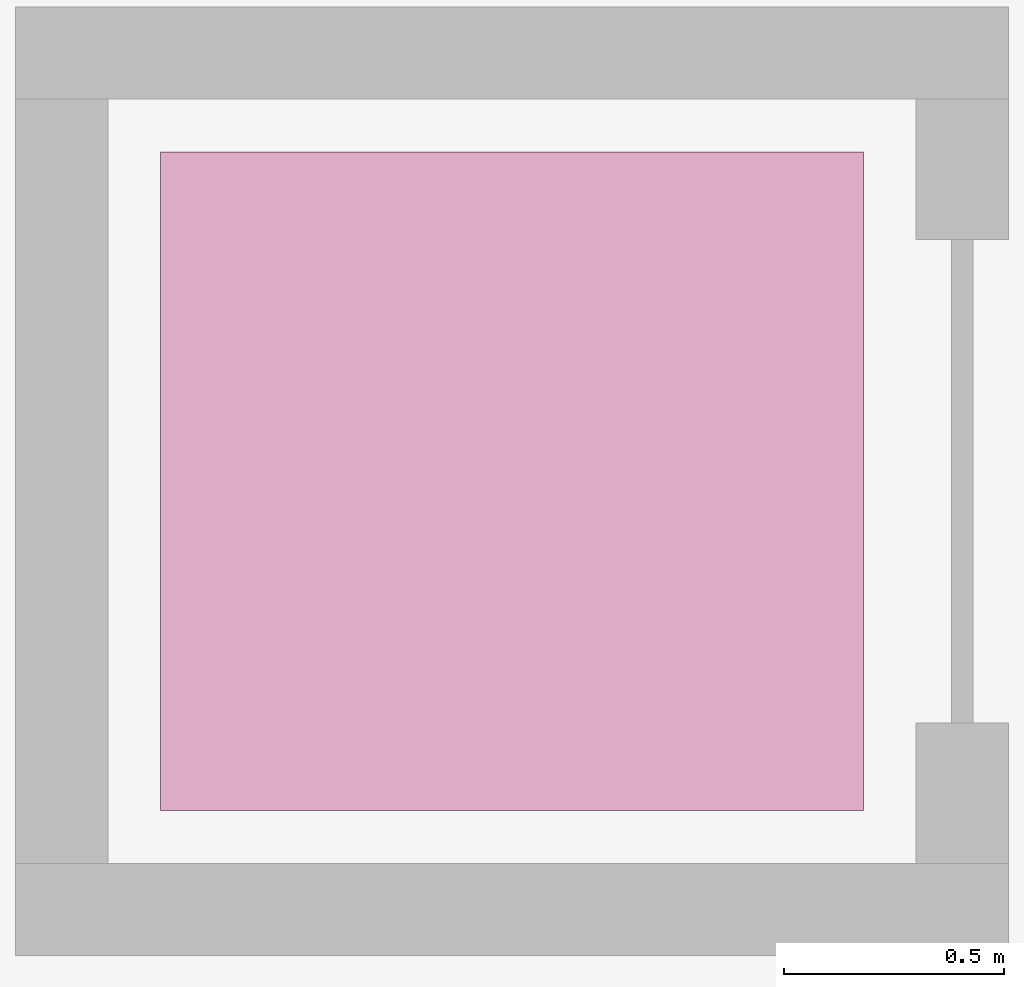
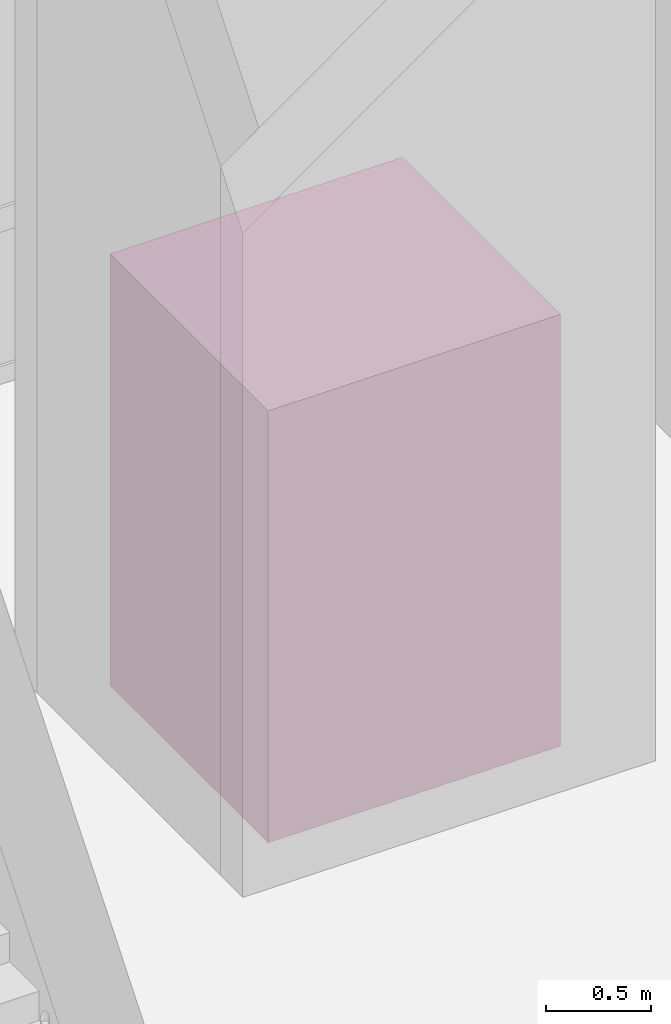
# One storey, part 123 of 123: 1 transport element.
"""IFC4 building model written with IfcOpenShell, lengths in metres."""

import ifcopenshell
import ifcopenshell.guid

model = None  # the IFC model being written
_history = None  # IfcOwnerHistory: only IFC2X3 demands one
_inside = {}  # id of a spatial element -> (the spatial element, [elements in it])
_under = {}  # id of a project, library or spatial element -> (it, [spatial elements below it])
_declared = {}  # id of a project -> (the project, [libraries it declares])
_typed = {}  # id of a type object -> (the type object, [elements of that type])
_made_of = {}  # id of a material, layer set ... -> (it, [elements and type objects made of it])


def new_model(schema):
    """Start an empty IFC model of exactly this schema.

    Asked for "IFC4X3", IfcOpenShell would pick the latest addendum, in which some entities
    have other attributes; the version numbers below select the first issue.
    IFC2X3 requires an IfcOwnerHistory on every rooted entity: one is made here for all.
    """
    global model, _history
    if schema == "IFC4X3":
        model = ifcopenshell.file(schema_version=(4, 3, 0, 0))
    else:
        model = ifcopenshell.file(schema=schema)
    _inside.clear()
    _under.clear()
    _declared.clear()
    _typed.clear()
    _made_of.clear()
    _history = None
    if model.schema == "IFC2X3":
        org = make("IfcOrganization", Name="unknown")
        user = make(
            "IfcPersonAndOrganization",
            ThePerson=make("IfcPerson", FamilyName="unknown"),
            TheOrganization=org,
        )
        app = make(
            "IfcApplication",
            ApplicationDeveloper=org,
            Version="unknown",
            ApplicationFullName="unknown",
            ApplicationIdentifier="unknown",
        )
        _history = make(
            "IfcOwnerHistory",
            OwningUser=user,
            OwningApplication=app,
            ChangeAction="ADDED",
            CreationDate=0,
        )
    return model


def make(cls, **values):
    """One entity of the class cls with the attributes given. An attribute that is None is left unset."""
    return model.create_entity(
        cls, **{name: value for name, value in values.items() if value is not None}
    )


def rooted(cls, **values):
    """An entity with a GlobalId (a new one), such as an element, a storey or a relation."""
    return make(cls, GlobalId=ifcopenshell.guid.new(), OwnerHistory=_history, **values)


def si_unit(unit_type, name, prefix=None):
    """IfcSIUnit, for example si_unit("LENGTHUNIT", "METRE", prefix="MILLI")."""
    return make("IfcSIUnit", UnitType=unit_type, Prefix=prefix, Name=name)


def assignment(units):
    """IfcUnitAssignment: the units of a project."""
    return None if units is None else make("IfcUnitAssignment", Units=units)


def point(xyz):
    """IfcCartesianPoint."""
    return None if xyz is None else make("IfcCartesianPoint", Coordinates=xyz)


def direction(xyz):
    """IfcDirection."""
    return None if xyz is None else make("IfcDirection", DirectionRatios=xyz)


def frame(location, z_axis=None, x_axis=None):
    """IfcAxis2Placement3D, a coordinate frame: its origin and axes. An axis left out is left unset."""
    return make(
        "IfcAxis2Placement3D",
        Location=point(location),
        Axis=direction(z_axis),
        RefDirection=direction(x_axis),
    )


def frame_2d(location, x_axis=None):
    """IfcAxis2Placement2D, a coordinate frame in the plane: its origin and x axis."""
    return make(
        "IfcAxis2Placement2D", Location=point(location), RefDirection=direction(x_axis)
    )


def origin():
    """The frame at (0, 0, 0) with its axes left unset."""
    return frame((0.0, 0.0, 0.0))


def origin_2d():
    """The frame at (0, 0) in the plane with its x axis left unset."""
    return frame_2d((0.0, 0.0))


def place(relative_to, where):
    """IfcLocalPlacement: puts the frame where relative to a parent placement (None: the world)."""
    return make(
        "IfcLocalPlacement", PlacementRelTo=relative_to, RelativePlacement=where
    )


def context(
    kind, dimensions, precision=None, world=None, true_north=None, identifier=None
):
    """IfcGeometricRepresentationContext, for example the 3D "Model" context."""
    return make(
        "IfcGeometricRepresentationContext",
        ContextIdentifier=identifier,
        ContextType=kind,
        CoordinateSpaceDimension=dimensions,
        Precision=precision,
        WorldCoordinateSystem=world,
        TrueNorth=true_north,
    )


def subcontext(parent, identifier, kind, view, scale=None):
    """IfcGeometricRepresentationSubContext, for example "Body" below "Model"."""
    return make(
        "IfcGeometricRepresentationSubContext",
        ContextIdentifier=identifier,
        ContextType=kind,
        ParentContext=parent,
        TargetScale=scale,
        TargetView=view,
    )


def project(units=None, contexts=None):
    """IfcProject with its units and contexts."""
    return rooted(
        "IfcProject",
        Name="project",
        RepresentationContexts=contexts,
        UnitsInContext=assignment(units),
    )


def spatial(cls, under=None, at=None, **own):
    """A site, building, storey or space (cls), placed at a placement, below another one or the project."""
    s = rooted(cls, ObjectPlacement=at, **own)
    if under is not None:
        _under.setdefault(under.id(), (under, []))[1].append(s)
    return s


def profile(cls, at=None, kind="AREA", **sizes):
    """A parametric profile (cls). Its sizes go by their IFC names, for example OverallWidth=200.0."""
    return make(cls, ProfileType=kind, Position=at, **sizes)


def rectangle(**sizes):
    """IfcRectangleProfileDef."""
    return profile("IfcRectangleProfileDef", **sizes)


def extrude(swept, where, along, depth):
    """IfcExtrudedAreaSolid: the profile swept, set in the frame where, extruded along a direction by depth."""
    return make(
        "IfcExtrudedAreaSolid",
        SweptArea=swept,
        Position=where,
        ExtrudedDirection=direction(along),
        Depth=depth,
    )


def shape(context_of_items, identifier, shape_type, items):
    """IfcShapeRepresentation: the items that make up one representation, for example the "Body"."""
    return make(
        "IfcShapeRepresentation",
        ContextOfItems=context_of_items,
        RepresentationIdentifier=identifier,
        RepresentationType=shape_type,
        Items=items,
    )


def material(Name=None, Category=None):
    """IfcMaterial."""
    return make("IfcMaterial", Name=Name, Category=Category)


def made_of(thing, what):
    """Note that an element or type object is made of a material, layer set ...; save() writes the relation."""
    if what is not None:
        _made_of.setdefault(what.id(), (what, []))[1].append(thing)
    return thing


def type_object(cls, material=None, **own):
    """A type object (cls), such as IfcWallType, which elements share."""
    return made_of(rooted(cls, **own), material)


def element(
    cls,
    number,
    at=None,
    inside=None,
    cuts=None,
    type_object=None,
    material=None,
    context=None,
    identifier="Body",
    shape_type=None,
    held_by="IfcProductDefinitionShape",
    body=None,
    shapes=None,
    **own,
):
    """One element of the class cls, such as IfcWall. Its Tag is "e" and its number.

    at: its placement. inside: the storey or other place that contains it. cuts: it is an
    opening in that element (IfcRelVoidsElement). A single representation is given by context,
    identifier, shape_type and body (its items); several are given by shapes. held_by: the class
    of the entity that holds the representations. save() writes the other relations.
    """
    e = rooted(cls, Tag="e%d" % number, ObjectPlacement=at, **own)
    if body is not None:
        shapes = [shape(context, identifier, shape_type, body)]
    if shapes is not None:
        e.Representation = make(held_by, Representations=shapes)
    if inside is not None:
        _inside.setdefault(inside.id(), (inside, []))[1].append(e)
    if cuts is not None:
        rooted(
            "IfcRelVoidsElement", RelatingBuildingElement=cuts, RelatedOpeningElement=e
        )
    if type_object is not None:
        _typed.setdefault(type_object.id(), (type_object, []))[1].append(e)
    return made_of(e, material)


def aggregate(whole, parts):
    """IfcRelAggregates: a whole, such as a stair, and the parts it consists of."""
    return rooted("IfcRelAggregates", RelatingObject=whole, RelatedObjects=parts)


def save(model, path):
    """Write the relations noted so far, then the file.

    IfcRelAggregates (storeys below a building ...), IfcRelContainedInSpatialStructure (elements
    in a storey), IfcRelDefinesByType, IfcRelAssociatesMaterial and IfcRelDeclares: one each for
    every whole, place, type object, material and project.
    """
    for whole, parts in _under.values():
        aggregate(whole, parts)
    for where, things in _inside.values():
        rooted(
            "IfcRelContainedInSpatialStructure",
            RelatedElements=things,
            RelatingStructure=where,
        )
    for kind, things in _typed.values():
        rooted("IfcRelDefinesByType", RelatedObjects=things, RelatingType=kind)
    for what, things in _made_of.values():
        rooted("IfcRelAssociatesMaterial", RelatedObjects=things, RelatingMaterial=what)
    for by, libraries in _declared.values():
        rooted("IfcRelDeclares", RelatingContext=by, RelatedDefinitions=libraries)
    model.write(path)


model = new_model("IFC4")

# Units and contexts
model_context = context("Model", 3, precision=1e-05, world=origin(), true_north=direction((0.0, 1.0)))
body_context = subcontext(model_context, "Body", "Model", "MODEL_VIEW")
ifc_project = project(units=[si_unit("LENGTHUNIT", "METRE"), si_unit("AREAUNIT", "SQUARE_METRE"), si_unit("VOLUMEUNIT", "CUBIC_METRE"), si_unit("PLANEANGLEUNIT", "RADIAN"), si_unit("MASSUNIT", "GRAM", prefix="KILO")], contexts=[model_context])

# Site, building, storey
site_placement = place(None, origin())
site = spatial("IfcSite", under=ifc_project, at=site_placement, CompositionType="ELEMENT")
building_placement = place(site_placement, origin())
building = spatial("IfcBuilding", under=site, at=building_placement, Name="Suzunagisa Mobility Hub", CompositionType="ELEMENT")
storey_placement = place(building_placement, origin())
storey = spatial("IfcBuildingStorey", under=building, at=storey_placement, Name="L00", CompositionType="ELEMENT", Elevation=0.0)

# Transport element
ifc_material = material(Name="Brushed Stainless Steel SUS304", Category="metal")
transport_element_type = type_object("IfcTransportElementType", Name="Elevator Car LF-03 1600x1500", PredefinedType="ELEVATOR", material=ifc_material)
transport_element_placement = place(storey_placement, frame((51.800048828125, 67.800048828125, 0.0), z_axis=(0.0, 0.0, 1.0), x_axis=(1.0, 0.0, 0.0)))
element("IfcTransportElement", 1, at=transport_element_placement, inside=storey, type_object=transport_element_type, Name="Elevator LF-03", PredefinedType="ELEVATOR", context=body_context, shape_type="SweptSolid", body=[
    extrude(rectangle(XDim=1.60009765625, YDim=1.5, at=origin_2d()), origin(), (0.0, 0.0, 1.0), 2.5),
])

save(model, "model.ifc")
